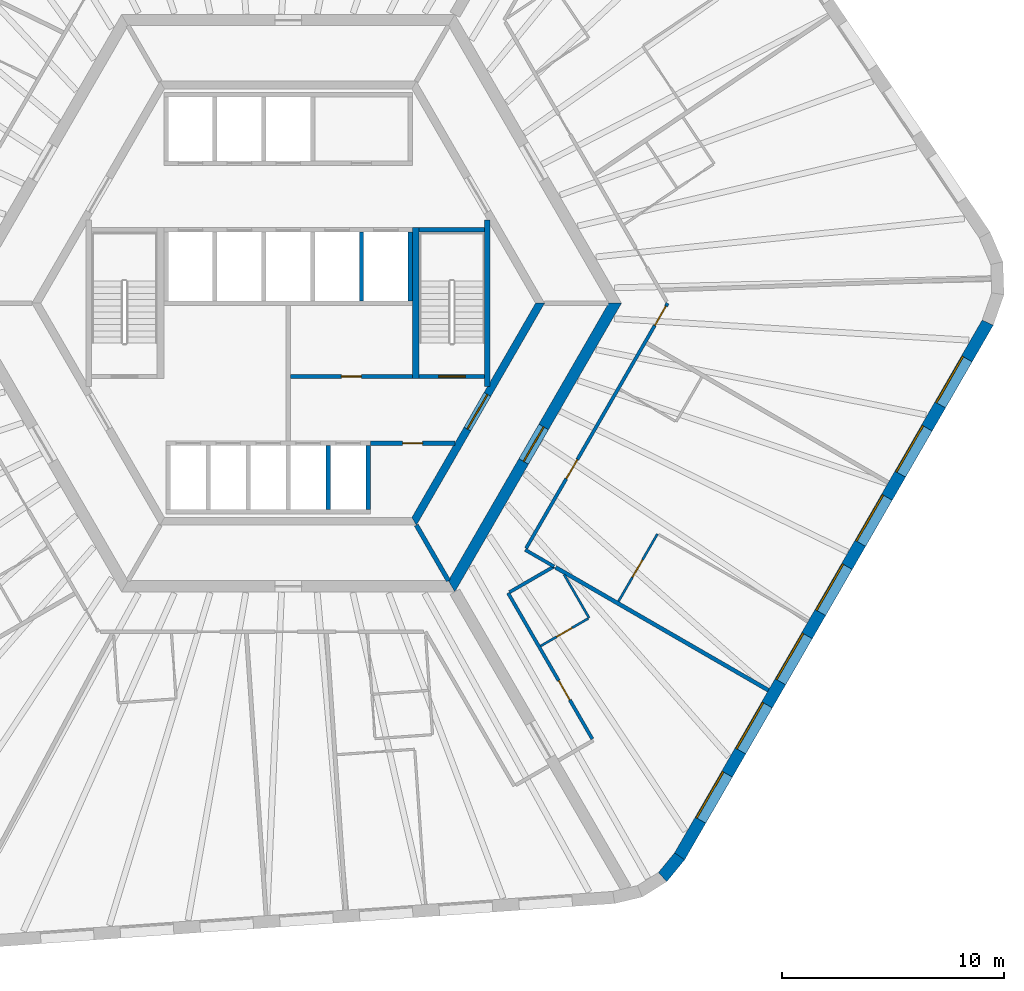
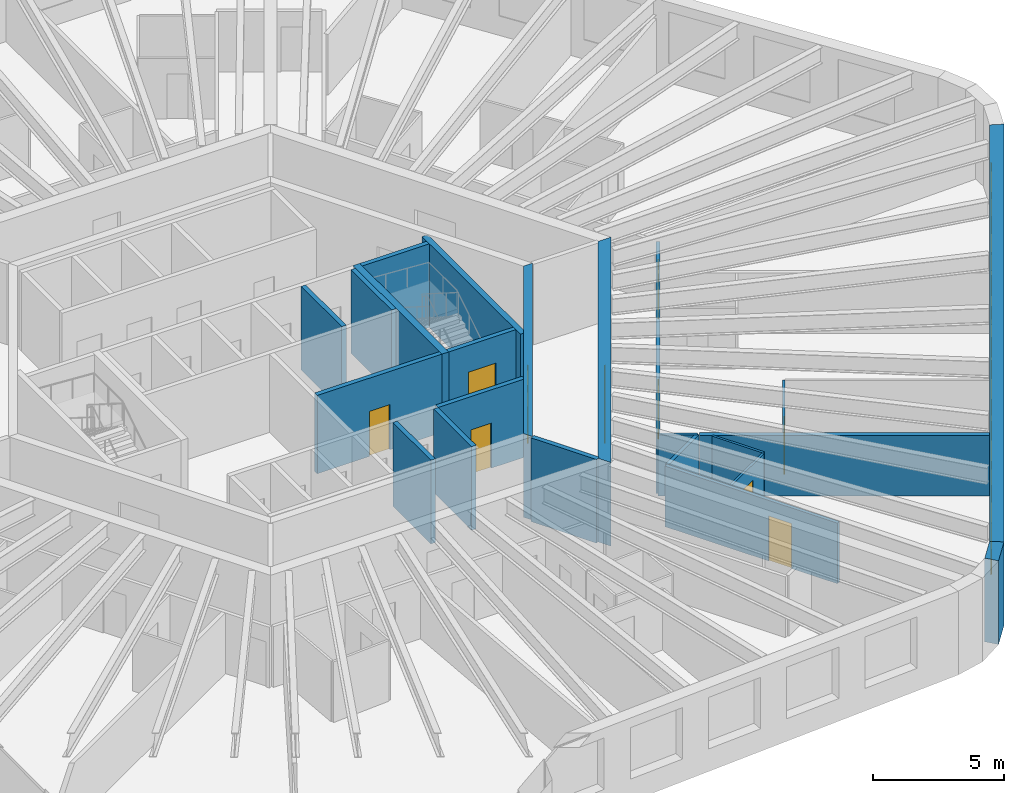
# One storey, part 5 of 10: 23 walls, 10 doors, 7 windows, 17 openings.
"""IFC4 building model written with IfcOpenShell, lengths in metres."""

from ifc_helpers import new_model, si_unit, direction, frame, frame_2d, origin, place, context, subcontext, project, spatial, polyline, rectangle, outline, extrude, material, layer, layer_set, type_object, element, fill, save


model = new_model("IFC4")

# Units and contexts
model_context = context("Model", 3, precision=1e-05, world=origin(), true_north=direction((0.0, 1.0)))
body_context = subcontext(model_context, "Body", "Model", "MODEL_VIEW")
ifc_project = project(units=[si_unit("LENGTHUNIT", "METRE"), si_unit("AREAUNIT", "SQUARE_METRE"), si_unit("VOLUMEUNIT", "CUBIC_METRE"), si_unit("PLANEANGLEUNIT", "RADIAN"), si_unit("MASSUNIT", "GRAM", prefix="KILO")], contexts=[model_context])

# Site, building, storey
site_placement = place(None, origin())
site = spatial("IfcSite", under=ifc_project, at=site_placement, CompositionType="ELEMENT")
building_placement = place(site_placement, origin())
building = spatial("IfcBuilding", under=site, at=building_placement, Name="Tarnside Tower", CompositionType="ELEMENT")
storey_placement = place(building_placement, frame((0.0, 0.0, 160.5)))
storey = spatial("IfcBuildingStorey", under=building, at=storey_placement, Name="L37", CompositionType="ELEMENT", Elevation=160.5)

# Wall
ifc_material_1 = material(Name="Gypsum board partition on steel studs", Category="steel")
ifc_layer_1 = layer(ifc_material_1, 0.10009765625)
ifc_layer_set_1 = layer_set([ifc_layer_1], Name="Bathroom wall 100")
wall_type_1 = type_object("IfcWallType", Name="Bathroom wall 100", PredefinedType="PARTITIONING", material=ifc_layer_set_1)
wall_1_placement = place(storey_placement, frame((12.42626953125, -12.22265625, 0.0), z_axis=(0.0, 0.0, 1.0), x_axis=(0.499919032186, -0.866072145528, 0.0)))
element("IfcWall", 1, at=wall_1_placement, inside=storey, type_object=wall_type_1, Name="Bathroom wall 11094", PredefinedType="PARTITIONING", context=body_context, shape_type="SweptSolid", body=[
    extrude(rectangle(XDim=2.257568359375, YDim=0.10009765625, at=frame_2d((1.12890625, 0.0))), origin(), (0.0, 0.0, 1.0), 2.823486328125),
])

# Wall, opening, door
wall_2_placement = place(storey_placement, frame((13.51171875, -14.202880859375, 0.0), z_axis=(0.0, 0.0, 1.0), x_axis=(-0.866006523861, -0.500032699561, 0.0)))
wall_2 = element("IfcWall", 2, at=wall_2_placement, inside=storey, type_object=wall_type_1, Name="Bathroom wall 11095", PredefinedType="PARTITIONING", context=body_context, shape_type="SweptSolid", body=[
    extrude(rectangle(XDim=2.474853515625, YDim=0.10009765625, at=frame_2d((1.2373046875, 0.0))), origin(), (0.0, 0.0, 1.0), 2.823486328125),
])
opening_1_placement = place(wall_2_placement, frame((0.85009765625, 0.0, 0.0)))
opening_1 = element("IfcOpeningElement", 3, at=opening_1_placement, cuts=wall_2, Name="Opening D-B1", PredefinedType="OPENING", context=body_context, shape_type="SweptSolid", body=[
    extrude(rectangle(XDim=0.800048828125, YDim=2.10009765625, at=frame_2d((0.39990234375, 1.050048828125))), frame((0.0, 0.06005859375, 0.0), z_axis=(0.0, -1.0, 0.0), x_axis=(1.0, 0.0, 0.0)), (0.0, 0.0, 1.0), 0.1201171875),
])
ifc_material_2 = material(Name="Timber door leaf", Category="wood")
door_type_1 = type_object("IfcDoorType", Name="Bathroom door 800", OperationType="NOTDEFINED", PredefinedType="DOOR", material=ifc_material_2)
door_1_placement = place(opening_1_placement, origin())
door_1 = element("IfcDoor", 4, at=door_1_placement, inside=storey, type_object=door_type_1, Name="Bathroom door 11026", OperationType="SINGLE_SWING_RIGHT", OverallHeight=2.10009765625, OverallWidth=0.800048828125, PredefinedType="DOOR", context=body_context, shape_type="SweptSolid", body=[
    extrude(rectangle(XDim=0.800048828125, YDim=2.10009765625, at=frame_2d((0.39990234375, 1.050048828125))), frame((0.0, 0.02490234375, 0.0), z_axis=(0.0, -1.0, 0.0), x_axis=(1.0, 0.0, 0.0)), (0.0, 0.0, 1.0), 0.050048828125),
])
fill(opening_1, door_1)

ifc_material_3 = material(Name="Concrete C50/60", Category="concrete")
ifc_layer_2 = layer(ifc_material_3, 0.35009765625)
ifc_layer_set_2 = layer_set([ifc_layer_2], Name="Core block wall 350 C50/60")
wall_type_2 = type_object("IfcWallType", Name="Core block wall 350 C50/60", PredefinedType="SHEAR", material=ifc_layer_set_2)
wall_3_placement = place(storey_placement, frame((5.672607421875, -9.824951171875, -0.14990234375), z_axis=(0.0, 0.0, 1.0), x_axis=(0.499995046907, 0.866028263435, 0.0)))
wall_3 = element("IfcWall", 5, at=wall_3_placement, inside=storey, type_object=wall_type_2, Name="L37 core block wall face 5", PredefinedType="SHEAR", context=body_context, shape_type="SweptSolid", body=[
    extrude(outline(polyline([(-0.10107421875, -0.175048828125), (11.44580078125, -0.175048828125), (11.24365234375, 0.175048828125), (0.10107421875, 0.175048828125), (-0.10107421875, -0.175048828125)])), origin(), (0.0, 0.0, 1.0), 3.89990234375),
])
opening_2_placement = place(wall_3_placement, frame((4.80126953125, 0.0, 0.14990234375)))
opening_2 = element("IfcOpeningElement", 6, at=opening_2_placement, cuts=wall_3, Name="Opening CD-FFL", PredefinedType="OPENING", context=body_context, shape_type="SweptSolid", body=[
    extrude(rectangle(XDim=1.800048828125, YDim=2.39990234375, at=frame_2d((0.89990234375, 1.199951171875))), frame((0.0, 0.18505859375, 0.0), z_axis=(0.0, -1.0, 0.0), x_axis=(1.0, 0.0, 0.0)), (0.0, 0.0, 1.0), 0.3701171875),
])
ifc_material_4 = material(Name="Steel fire door", Category="steel")
door_type_2 = type_object("IfcDoorType", Name="Firefighting lobby double door FD60S 1800x2400", OperationType="NOTDEFINED", PredefinedType="DOOR", material=ifc_material_4)
door_2_placement = place(opening_2_placement, origin())
door_2 = element("IfcDoor", 7, at=door_2_placement, inside=storey, type_object=door_type_2, Name="L37 lobby block door P4", OperationType="DOUBLE_DOOR_SINGLE_SWING", OverallHeight=2.39990234375, OverallWidth=1.800048828125, PredefinedType="DOOR", context=body_context, shape_type="SweptSolid", body=[
    extrude(rectangle(XDim=1.800048828125, YDim=2.39990234375, at=frame_2d((0.89990234375, 1.199951171875))), frame((0.0, 0.02490234375, 0.0), z_axis=(0.0, -1.0, 0.0), x_axis=(1.0, 0.0, 0.0)), (0.0, 0.0, 1.0), 0.050048828125),
])
fill(opening_2, door_2)

ifc_material_5 = material(Name="Concrete C40/50", Category="concrete")
ifc_layer_3 = layer(ifc_material_5, 0.199951171875)
ifc_layer_set_3 = layer_set([ifc_layer_3], Name="Core room partition 200 C40/50")
wall_type_3 = type_object("IfcWallType", Name="Core room partition 200 C40/50", PredefinedType="PARTITIONING", material=ifc_layer_set_3)
wall_4_placement = place(storey_placement, frame((0.10009765625, -3.300048828125, 0.0), z_axis=(0.0, 0.0, 1.0), x_axis=(1.0, 0.0, 0.0)))
wall_4 = element("IfcWall", 8, at=wall_4_placement, inside=storey, type_object=wall_type_3, Name="L37 core partition R3S1", PredefinedType="PARTITIONING", context=body_context, shape_type="SweptSolid", body=[
    extrude(rectangle(XDim=5.5, YDim=0.199951171875, at=frame_2d((2.75, 0.0))), origin(), (0.0, 0.0, 1.0), 3.64990234375),
])
opening_3_placement = place(wall_4_placement, frame((2.300048828125, 0.0, 0.0)))
opening_3 = element("IfcOpeningElement", 9, at=opening_3_placement, cuts=wall_4, Name="Opening CD-room", PredefinedType="OPENING", context=body_context, shape_type="SweptSolid", body=[
    extrude(rectangle(XDim=0.89990234375, YDim=2.10009765625, at=frame_2d((0.449951171875, 1.050048828125))), frame((0.0, 0.10986328125, 0.0), z_axis=(0.0, -1.0, 0.0), x_axis=(1.0, 0.0, 0.0)), (0.0, 0.0, 1.0), 0.219970703125),
])
door_type_3 = type_object("IfcDoorType", Name="Room door FD60 900x2100", OperationType="NOTDEFINED", PredefinedType="DOOR", material=ifc_material_4)
door_3_placement = place(opening_3_placement, origin())
door_3 = element("IfcDoor", 10, at=door_3_placement, inside=storey, type_object=door_type_3, Name="L37 core room door SR1", OperationType="SINGLE_SWING_LEFT", OverallHeight=2.10009765625, OverallWidth=0.89990234375, PredefinedType="DOOR", context=body_context, shape_type="SweptSolid", body=[
    extrude(rectangle(XDim=0.89990234375, YDim=2.10009765625, at=frame_2d((0.449951171875, 1.050048828125))), frame((0.0, 0.02490234375, 0.0), z_axis=(0.0, -1.0, 0.0), x_axis=(1.0, 0.0, 0.0)), (0.0, 0.0, 1.0), 0.050048828125),
])
fill(opening_3, door_3)

wall_5_placement = place(storey_placement, frame((3.699951171875, -6.300048828125, 0.0), z_axis=(0.0, 0.0, 1.0), x_axis=(1.0, 0.0, 0.0)))
wall_5 = element("IfcWall", 11, at=wall_5_placement, inside=storey, type_object=wall_type_3, Name="L37 core partition R4X", PredefinedType="PARTITIONING", context=body_context, shape_type="SweptSolid", body=[
    extrude(rectangle(XDim=3.8056640625, YDim=0.199951171875, at=frame_2d((1.90283203125, 0.0))), origin(), (0.0, 0.0, 1.0), 3.64990234375),
])
opening_4_placement = place(wall_5_placement, frame((1.452880859375, 0.0, 0.0)))
opening_4 = element("IfcOpeningElement", 12, at=opening_4_placement, cuts=wall_5, Name="Opening CD-room", PredefinedType="OPENING", context=body_context, shape_type="SweptSolid", body=[
    extrude(rectangle(XDim=0.89990234375, YDim=2.10009765625, at=frame_2d((0.449951171875, 1.050048828125))), frame((0.0, 0.10986328125, 0.0), z_axis=(0.0, -1.0, 0.0), x_axis=(1.0, 0.0, 0.0)), (0.0, 0.0, 1.0), 0.219970703125),
])
door_4_placement = place(opening_4_placement, origin())
door_4 = element("IfcDoor", 13, at=door_4_placement, inside=storey, type_object=door_type_3, Name="L37 core room door RX", OperationType="SINGLE_SWING_LEFT", OverallHeight=2.10009765625, OverallWidth=0.89990234375, PredefinedType="DOOR", context=body_context, shape_type="SweptSolid", body=[
    extrude(rectangle(XDim=0.89990234375, YDim=2.10009765625, at=frame_2d((0.449951171875, 1.050048828125))), frame((0.0, 0.02490234375, 0.0), z_axis=(0.0, -1.0, 0.0), x_axis=(1.0, 0.0, 0.0)), (0.0, 0.0, 1.0), 0.050048828125),
])
fill(opening_4, door_4)

ifc_material_6 = material(Name="Concrete C70/85", Category="concrete")
ifc_layer_4 = layer(ifc_material_6, 0.5)
ifc_layer_set_4 = layer_set([ifc_layer_4], Name="Core wall Z2 500 C70/85")
wall_type_4 = type_object("IfcWallType", Name="Core wall Z2 500 C70/85", PredefinedType="SHEAR", material=ifc_layer_set_4)
wall_6_placement = place(storey_placement, frame((7.361083984375, -12.75, -0.14990234375), z_axis=(0.0, 0.0, 1.0), x_axis=(0.50000571537, 0.866022103989, 0.0)))
wall_6 = element("IfcWall", 14, at=wall_6_placement, inside=storey, type_object=wall_type_4, Name="L37 core wall face 5", PredefinedType="SHEAR", context=body_context, shape_type="SweptSolid", body=[
    extrude(outline(polyline([(-0.144287109375, -0.25), (14.86669921875, -0.25), (14.578125, 0.25), (0.144287109375, 0.25), (-0.144287109375, -0.25)])), origin(), (0.0, 0.0, 1.0), 3.89990234375),
])
opening_5_placement = place(wall_6_placement, frame((6.489990234375, 0.0, 0.14990234375)))
opening_5 = element("IfcOpeningElement", 15, at=opening_5_placement, cuts=wall_6, Name="Opening CD-FFL", PredefinedType="OPENING", context=body_context, shape_type="SweptSolid", body=[
    extrude(rectangle(XDim=1.800048828125, YDim=2.39990234375, at=frame_2d((0.89990234375, 1.199951171875))), frame((0.0, 0.260009765625, 0.0), z_axis=(0.0, -1.0, 0.0), x_axis=(1.0, 0.0, 0.0)), (0.0, 0.0, 1.0), 0.52001953125),
])
door_5_placement = place(opening_5_placement, origin())
door_5 = element("IfcDoor", 16, at=door_5_placement, inside=storey, type_object=door_type_2, Name="L37 core door P4", OperationType="DOUBLE_DOOR_SINGLE_SWING", OverallHeight=2.39990234375, OverallWidth=1.800048828125, PredefinedType="DOOR", context=body_context, shape_type="SweptSolid", body=[
    extrude(rectangle(XDim=1.800048828125, YDim=2.39990234375, at=frame_2d((0.89990234375, 1.199951171875))), frame((0.0, 0.02490234375, 0.0), z_axis=(0.0, -1.0, 0.0), x_axis=(1.0, 0.0, 0.0)), (0.0, 0.0, 1.0), 0.050048828125),
])
fill(opening_5, door_5)

ifc_layer_5 = layer(ifc_material_1, 0.14990234375)
ifc_layer_set_5 = layer_set([ifc_layer_5], Name="Corridor wall 150 EI 60")
wall_type_5 = type_object("IfcWallType", Name="Corridor wall 150 EI 60", PredefinedType="PARTITIONING", material=ifc_layer_set_5)
wall_7_placement = place(storey_placement, frame((13.69921875, -19.6279296875, 0.0), z_axis=(0.0, 0.0, 1.0), x_axis=(-0.499998968938, 0.866025999068, 0.0)))
wall_7 = element("IfcWall", 17, at=wall_7_placement, inside=storey, type_object=wall_type_5, Name="Corridor wall 11033", PredefinedType="PARTITIONING", context=body_context, shape_type="SweptSolid", body=[
    extrude(rectangle(XDim=7.591796875, YDim=0.14990234375, at=frame_2d((3.7958984375, 0.0))), origin(), (0.0, 0.0, 1.0), 2.823486328125),
])
opening_6_placement = place(wall_7_placement, frame((2.033447265625, 0.0, 0.0)))
opening_6 = element("IfcOpeningElement", 18, at=opening_6_placement, cuts=wall_7, Name="Opening D-E1", PredefinedType="OPENING", context=body_context, shape_type="SweptSolid", body=[
    extrude(rectangle(XDim=1.0, YDim=2.10009765625, at=frame_2d((0.5, 1.050048828125))), frame((0.0, 0.0849609375, 0.0), z_axis=(0.0, -1.0, 0.0), x_axis=(1.0, 0.0, 0.0)), (0.0, 0.0, 1.0), 0.169921875),
])
door_type_4 = type_object("IfcDoorType", Name="Unit entrance door 1000 FD30S", OperationType="NOTDEFINED", PredefinedType="DOOR", material=ifc_material_2)
door_6_placement = place(opening_6_placement, origin())
door_6 = element("IfcDoor", 19, at=door_6_placement, inside=storey, type_object=door_type_4, Name="Unit door 11025", OperationType="SINGLE_SWING_LEFT", OverallHeight=2.10009765625, OverallWidth=1.0, PredefinedType="DOOR", context=body_context, shape_type="SweptSolid", body=[
    extrude(rectangle(XDim=1.0, YDim=2.10009765625, at=frame_2d((0.5, 1.050048828125))), frame((0.0, 0.02490234375, 0.0), z_axis=(0.0, -1.0, 0.0), x_axis=(1.0, 0.0, 0.0)), (0.0, 0.0, 1.0), 0.050048828125),
])
fill(opening_6, door_6)

# Walls
wall_8_placement = place(storey_placement, frame((9.96826171875, -13.015625, 0.0), z_axis=(0.0, 0.0, 1.0), x_axis=(0.866022320763, 0.500005339912, 0.0)))
element("IfcWall", 20, at=wall_8_placement, inside=storey, type_object=wall_type_5, Name="Corridor wall 11035", PredefinedType="PARTITIONING", context=body_context, shape_type="SweptSolid", body=[
    extrude(rectangle(XDim=2.31591796875, YDim=0.14990234375, at=frame_2d((1.157958984375, 0.0))), origin(), (0.0, 0.0, 1.0), 2.823486328125),
])
wall_9_placement = place(storey_placement, frame((11.9765625, -11.859375, 0.0), z_axis=(0.0, 0.0, 1.0), x_axis=(-0.865993364801, 0.500055489042, 0.0)))
element("IfcWall", 21, at=wall_9_placement, inside=storey, type_object=wall_type_5, Name="Corridor wall 11036", PredefinedType="PARTITIONING", context=body_context, shape_type="SweptSolid", body=[
    extrude(rectangle(XDim=1.501708984375, YDim=0.14990234375, at=frame_2d((0.7509765625, 0.0))), origin(), (0.0, 0.0, 1.0), 2.823486328125),
])

# Wall, openings, doors
wall_10_placement = place(storey_placement, frame((10.713623046875, -11.04345703125, 0.0), z_axis=(0.0, 0.0, 1.0), x_axis=(0.500001980452, 0.866024260367, 0.0)))
wall_10 = element("IfcWall", 22, at=wall_10_placement, inside=storey, type_object=wall_type_5, Name="Corridor wall 11037", PredefinedType="PARTITIONING", context=body_context, shape_type="SweptSolid", body=[
    extrude(rectangle(XDim=12.751953125, YDim=0.14990234375, at=frame_2d((6.3759765625, 0.0))), origin(), (0.0, 0.0, 1.0), 2.823486328125),
])
opening_7_placement = place(wall_10_placement, frame((3.625, 0.0, 0.0)))
opening_7 = element("IfcOpeningElement", 23, at=opening_7_placement, cuts=wall_10, Name="Opening D-E1", PredefinedType="OPENING", context=body_context, shape_type="SweptSolid", body=[
    extrude(rectangle(XDim=1.0, YDim=2.10009765625, at=frame_2d((0.5, 1.050048828125))), frame((0.0, 0.0849609375, 0.0), z_axis=(0.0, -1.0, 0.0), x_axis=(1.0, 0.0, 0.0)), (0.0, 0.0, 1.0), 0.169921875),
])
opening_8_placement = place(wall_10_placement, frame((11.601806640625, 0.0, 0.0)))
opening_8 = element("IfcOpeningElement", 24, at=opening_8_placement, cuts=wall_10, Name="Opening D-E1", PredefinedType="OPENING", context=body_context, shape_type="SweptSolid", body=[
    extrude(rectangle(XDim=1.0, YDim=2.10009765625, at=frame_2d((0.5, 1.050048828125))), frame((0.0, 0.0849609375, 0.0), z_axis=(0.0, -1.0, 0.0), x_axis=(1.0, 0.0, 0.0)), (0.0, 0.0, 1.0), 0.169921875),
])
door_7_placement = place(opening_7_placement, origin())
door_7 = element("IfcDoor", 25, at=door_7_placement, inside=storey, type_object=door_type_4, Name="Unit door 11027", OperationType="SINGLE_SWING_RIGHT", OverallHeight=2.10009765625, OverallWidth=1.0, PredefinedType="DOOR", context=body_context, shape_type="SweptSolid", body=[
    extrude(rectangle(XDim=1.0, YDim=2.10009765625, at=frame_2d((0.5, 1.050048828125))), frame((0.0, 0.02490234375, 0.0), z_axis=(0.0, -1.0, 0.0), x_axis=(1.0, 0.0, 0.0)), (0.0, 0.0, 1.0), 0.050048828125),
])
fill(opening_7, door_7)
door_8_placement = place(opening_8_placement, origin())
door_8 = element("IfcDoor", 26, at=door_8_placement, inside=storey, type_object=door_type_4, Name="Unit door 11030", OperationType="SINGLE_SWING_LEFT", OverallHeight=2.10009765625, OverallWidth=1.0, PredefinedType="DOOR", context=body_context, shape_type="SweptSolid", body=[
    extrude(rectangle(XDim=1.0, YDim=2.10009765625, at=frame_2d((0.5, 1.050048828125))), frame((0.0, 0.02490234375, 0.0), z_axis=(0.0, -1.0, 0.0), x_axis=(1.0, 0.0, 0.0)), (0.0, 0.0, 1.0), 0.050048828125),
])
fill(opening_8, door_8)

# Walls
ifc_layer_6 = layer(ifc_material_1, 0.179931640625)
ifc_layer_set_6 = layer_set([ifc_layer_6], Name="Demising wall 180 EI 60")
wall_type_6 = type_object("IfcWallType", Name="Demising wall 180 EI 60", PredefinedType="PARTITIONING", material=ifc_layer_set_6)
wall_11_placement = place(storey_placement, frame((21.63134765625, -17.433349609375, 0.0), z_axis=(0.0, 0.0, 1.0), x_axis=(-0.866031296205, 0.499989793889, 0.0)))
element("IfcWall", 27, at=wall_11_placement, inside=storey, type_object=wall_type_6, Name="Demising wall 11096", PredefinedType="PARTITIONING", context=body_context, shape_type="SweptSolid", body=[
    extrude(rectangle(XDim=11.067138671875, YDim=0.179931640625, at=frame_2d((5.53369140625, 0.0))), origin(), (0.0, 0.0, 1.0), 2.823486328125),
])
ifc_layer_7 = layer(ifc_material_5, 0.199951171875)
ifc_layer_set_7 = layer_set([ifc_layer_7], Name="Lift shaft wall 200 C40/50")
wall_type_7 = type_object("IfcWallType", Name="Lift shaft wall 200 C40/50", PredefinedType="SHEAR", material=ifc_layer_set_7)
for number, where, z_axis, x_axis, name in (
    (28, (3.300048828125, 0.10009765625, -0.25), (0.0, 0.0, 1.0), (0.0, 1.0, 0.0), "L37 lift shaft partition R25"),
    (29, (5.5, 0.10009765625, -0.25), (0.0, 0.0, 1.0), (0.0, 1.0, 0.0), "L37 lift shaft partition R26"),
):
    element("IfcWall", number, at=place(storey_placement, frame(where, z_axis=z_axis, x_axis=x_axis)), inside=storey, type_object=wall_type_7, Name=name, PredefinedType="SHEAR", context=body_context, shape_type="SweptSolid", body=[
        extrude(rectangle(XDim=3.099853515625, YDim=0.199951171875, at=frame_2d((1.5498046875, 0.0))), origin(), (0.0, 0.0, 1.0), 3.89990234375),
    ])
for number, where, z_axis, x_axis, name in (
    (30, (1.800048828125, -9.300048828125, -0.25), (0.0, 0.0, 1.0), (0.0, 1.0, 0.0), "L37 lift shaft partition R45"),
    (31, (3.60009765625, -9.300048828125, -0.25), (0.0, 0.0, 1.0), (0.0, 1.0, 0.0), "L37 lift shaft partition R46"),
):
    element("IfcWall", number, at=place(storey_placement, frame(where, z_axis=z_axis, x_axis=x_axis)), inside=storey, type_object=wall_type_7, Name=name, PredefinedType="SHEAR", context=body_context, shape_type="SweptSolid", body=[
        extrude(rectangle(XDim=2.900146484375, YDim=0.199951171875, at=frame_2d((1.4501953125, 0.0))), origin(), (0.0, 0.0, 1.0), 3.89990234375),
    ])
wall_12_placement = place(storey_placement, frame((5.7734375, -10.0, -0.14990234375), z_axis=(0.0, 0.0, 1.0), x_axis=(0.499995765644, -0.866027848477, 0.0)))
element("IfcWall", 32, at=wall_12_placement, inside=storey, type_object=wall_type_7, Name="L37 core partition AR300", PredefinedType="SHEAR", context=body_context, shape_type="SweptSolid", body=[
    extrude(rectangle(XDim=2.88671875, YDim=0.199951171875, at=frame_2d((1.443359375, 0.0))), origin(), (0.0, 0.0, 1.0), 3.89990234375),
])
wall_13_placement = place(storey_placement, frame((5.89990234375, 3.300048828125, -0.25), z_axis=(0.0, 0.0, 1.0), x_axis=(1.0, 0.0, 0.0)))
element("IfcWall", 33, at=wall_13_placement, inside=storey, type_object=wall_type_7, Name="L37 stair 1 enclosure cap wall n", PredefinedType="SHEAR", context=body_context, shape_type="SweptSolid", body=[
    extrude(rectangle(XDim=2.9501953125, YDim=0.199951171875, at=frame_2d((1.47509765625, 0.0))), origin(), (0.0, 0.0, 1.0), 3.89990234375),
])

# Wall, opening, door
wall_14_placement = place(storey_placement, frame((5.89990234375, -3.300048828125, -0.25), z_axis=(0.0, 0.0, 1.0), x_axis=(1.0, 0.0, 0.0)))
wall_14 = element("IfcWall", 34, at=wall_14_placement, inside=storey, type_object=wall_type_7, Name="L37 stair 1 enclosure cap wall s", PredefinedType="SHEAR", context=body_context, shape_type="SweptSolid", body=[
    extrude(rectangle(XDim=2.9501953125, YDim=0.199951171875, at=frame_2d((1.47509765625, 0.0))), origin(), (0.0, 0.0, 1.0), 3.89990234375),
])
opening_9_placement = place(wall_14_placement, frame((0.875, 0.0, 0.25)))
opening_9 = element("IfcOpeningElement", 35, at=opening_9_placement, cuts=wall_14, Name="Opening CD-STR", PredefinedType="OPENING", context=body_context, shape_type="SweptSolid", body=[
    extrude(rectangle(XDim=1.199951171875, YDim=2.39990234375, at=frame_2d((0.60009765625, 1.199951171875))), frame((0.0, 0.10986328125, 0.0), z_axis=(0.0, -1.0, 0.0), x_axis=(1.0, 0.0, 0.0)), (0.0, 0.0, 1.0), 0.219970703125),
])
door_type_5 = type_object("IfcDoorType", Name="Stair door FD60S 1200x2400", OperationType="NOTDEFINED", PredefinedType="DOOR", material=ifc_material_4)
door_9_placement = place(opening_9_placement, origin())
door_9 = element("IfcDoor", 36, at=door_9_placement, inside=storey, type_object=door_type_5, Name="L37 stair 1 door", OperationType="SINGLE_SWING_LEFT", OverallHeight=2.39990234375, OverallWidth=1.199951171875, PredefinedType="DOOR", context=body_context, shape_type="SweptSolid", body=[
    extrude(rectangle(XDim=1.199951171875, YDim=2.39990234375, at=frame_2d((0.60009765625, 1.199951171875))), frame((0.0, 0.02490234375, 0.0), z_axis=(0.0, -1.0, 0.0), x_axis=(1.0, 0.0, 0.0)), (0.0, 0.0, 1.0), 0.050048828125),
])
fill(opening_9, door_9)

ifc_layer_8 = layer(ifc_material_1, 0.10009765625)
ifc_layer_set_8 = layer_set([ifc_layer_8], Name="Partition 100")
wall_type_8 = type_object("IfcWallType", Name="Partition 100", PredefinedType="PARTITIONING", material=ifc_layer_set_8)
wall_15_placement = place(storey_placement, frame((14.8779296875, -13.430419921875, 0.0), z_axis=(0.0, 0.0, 1.0), x_axis=(0.500021481416, 0.866013001128, 0.0)))
wall_15 = element("IfcWall", 37, at=wall_15_placement, inside=storey, type_object=wall_type_8, Name="Partition wall 11101", PredefinedType="PARTITIONING", context=body_context, shape_type="SweptSolid", body=[
    extrude(rectangle(XDim=3.510009765625, YDim=0.10009765625, at=frame_2d((1.7548828125, 0.0))), origin(), (0.0, 0.0, 1.0), 2.823486328125),
])
opening_10_placement = place(wall_15_placement, frame((1.260009765625, 0.0, 0.0)))
opening_10 = element("IfcOpeningElement", 38, at=opening_10_placement, cuts=wall_15, Name="Opening D-I1", PredefinedType="OPENING", context=body_context, shape_type="SweptSolid", body=[
    extrude(rectangle(XDim=0.89990234375, YDim=2.10009765625, at=frame_2d((0.449951171875, 1.050048828125))), frame((0.0, 0.06005859375, 0.0), z_axis=(0.0, -1.0, 0.0), x_axis=(1.0, 0.0, 0.0)), (0.0, 0.0, 1.0), 0.1201171875),
])
door_type_6 = type_object("IfcDoorType", Name="Internal door 900", OperationType="NOTDEFINED", PredefinedType="DOOR", material=ifc_material_2)
door_10_placement = place(opening_10_placement, origin())
door_10 = element("IfcDoor", 39, at=door_10_placement, inside=storey, type_object=door_type_6, Name="Internal door 11029", OperationType="SINGLE_SWING_RIGHT", OverallHeight=2.10009765625, OverallWidth=0.89990234375, PredefinedType="DOOR", context=body_context, shape_type="SweptSolid", body=[
    extrude(rectangle(XDim=0.89990234375, YDim=2.10009765625, at=frame_2d((0.449951171875, 1.050048828125))), frame((0.0, 0.02490234375, 0.0), z_axis=(0.0, -1.0, 0.0), x_axis=(1.0, 0.0, 0.0)), (0.0, 0.0, 1.0), 0.050048828125),
])
fill(opening_10, door_10)

# Walls
ifc_layer_9 = layer(ifc_material_5, 0.25)
ifc_layer_set_9 = layer_set([ifc_layer_9], Name="Stair enclosure wall 250 C40/50")
wall_type_9 = type_object("IfcWallType", Name="Stair enclosure wall 250 C40/50", PredefinedType="SHEAR", material=ifc_layer_set_9)
wall_16_placement = place(storey_placement, frame((8.97509765625, -3.7548828125, -0.25), z_axis=(0.0, 0.0, 1.0), x_axis=(0.0, 1.0, 0.0)))
element("IfcWall", 40, at=wall_16_placement, inside=storey, type_object=wall_type_9, Name="L37 stair 1 enclosure wall outer", PredefinedType="SHEAR", context=body_context, shape_type="SweptSolid", body=[
    extrude(rectangle(XDim=7.509765625, YDim=0.25, at=frame_2d((3.7548828125, 0.0))), origin(), (0.0, 0.0, 1.0), 3.89990234375),
])
ifc_layer_10 = layer(ifc_material_5, 0.300048828125)
ifc_layer_set_10 = layer_set([ifc_layer_10], Name="Stair enclosure wall 300 C40/50")
wall_type_10 = type_object("IfcWallType", Name="Stair enclosure wall 300 C40/50", PredefinedType="SHEAR", material=ifc_layer_set_10)
wall_17_placement = place(storey_placement, frame((5.75, -3.39990234375, -0.25), z_axis=(0.0, 0.0, 1.0), x_axis=(0.0, 1.0, 0.0)))
element("IfcWall", 41, at=wall_17_placement, inside=storey, type_object=wall_type_10, Name="L37 stair 1 enclosure wall inner", PredefinedType="SHEAR", context=body_context, shape_type="SweptSolid", body=[
    extrude(rectangle(XDim=6.7998046875, YDim=0.300048828125, at=frame_2d((3.39990234375, 0.0))), origin(), (0.0, 0.0, 1.0), 3.89990234375),
])
ifc_material_7 = material(Name="Facing brick", Category="masonry")
ifc_layer_11 = layer(ifc_material_7, 0.10205078125)
ifc_material_8 = material(Name="Concrete C60/75 precast", Category="concrete")
ifc_layer_12 = layer(ifc_material_8, 0.347900390625)
ifc_material_9 = material(Name="Mineral wool insulation")
ifc_layer_13 = layer(ifc_material_9, 0.10009765625)
ifc_layer_set_11 = layer_set([ifc_layer_11, ifc_layer_12, ifc_layer_13], Name="Tube wall 550 brick faced")
wall_type_11 = type_object("IfcWallType", Name="Tube wall 550 brick faced", PredefinedType="SOLIDWALL", material=ifc_layer_set_11)
wall_18_placement = place(storey_placement, frame((16.8642578125, -25.848388671875, -0.14990234375), z_axis=(0.0, 0.0, 1.0), x_axis=(0.633842757806, 0.773461930787, 0.0)))
element("IfcWall", 42, at=wall_18_placement, inside=storey, type_object=wall_type_11, Name="Tube wall L37 F4 chord 15", PredefinedType="SOLIDWALL", context=body_context, shape_type="SweptSolid", body=[
    extrude(outline(polyline([(-0.045166015625, -0.27490234375), (1.230712890625, -0.27490234375), (1.185791015625, 0.27490234375), (0.045166015625, 0.27490234375), (-0.045166015625, -0.27490234375)])), origin(), (0.0, 0.0, 1.0), 3.89990234375),
])

# Wall, openings, windows
wall_19_placement = place(storey_placement, frame((17.630126953125, -24.913818359375, -0.14990234375), z_axis=(0.0, 0.0, 1.0), x_axis=(0.499998569178, 0.866026229868, 0.0)))
wall_19 = element("IfcWall", 43, at=wall_19_placement, inside=storey, type_object=wall_type_11, Name="Tube wall L37 F5 flush 16", PredefinedType="SOLIDWALL", context=body_context, shape_type="SweptSolid", body=[
    extrude(outline(polyline([(-0.0224609375, -0.27490234375), (27.783447265625, -0.27490234375), (27.732177734375, 0.27490234375), (0.0224609375, 0.27490234375), (-0.0224609375, -0.27490234375)])), origin(), (0.0, 0.0, 1.0), 3.89990234375),
])
opening_11_placement = place(wall_19_placement, frame((1.87890625, 0.0, 1.050048828125)))
opening_11 = element("IfcOpeningElement", 44, at=opening_11_placement, cuts=wall_19, Name="Opening WH", PredefinedType="OPENING", context=body_context, shape_type="SweptSolid", body=[
    extrude(rectangle(XDim=2.39990234375, YDim=2.39990234375, at=frame_2d((1.199951171875, 1.199951171875))), frame((0.0, 0.28515625, 0.0), z_axis=(0.0, -1.0, 0.0), x_axis=(1.0, 0.0, 0.0)), (0.0, 0.0, 1.0), 0.570068359375),
])
opening_12_placement = place(wall_19_placement, frame((5.47900390625, 0.0, 1.050048828125)))
opening_12 = element("IfcOpeningElement", 45, at=opening_12_placement, cuts=wall_19, Name="Opening WH", PredefinedType="OPENING", context=body_context, shape_type="SweptSolid", body=[
    extrude(rectangle(XDim=2.39990234375, YDim=2.39990234375, at=frame_2d((1.199951171875, 1.199951171875))), frame((0.0, 0.28515625, 0.0), z_axis=(0.0, -1.0, 0.0), x_axis=(1.0, 0.0, 0.0)), (0.0, 0.0, 1.0), 0.570068359375),
])
opening_13_placement = place(wall_19_placement, frame((9.078857421875, 0.0, 1.050048828125)))
opening_13 = element("IfcOpeningElement", 46, at=opening_13_placement, cuts=wall_19, Name="Opening WH", PredefinedType="OPENING", context=body_context, shape_type="SweptSolid", body=[
    extrude(rectangle(XDim=2.39990234375, YDim=2.39990234375, at=frame_2d((1.199951171875, 1.199951171875))), frame((0.0, 0.28515625, 0.0), z_axis=(0.0, -1.0, 0.0), x_axis=(1.0, 0.0, 0.0)), (0.0, 0.0, 1.0), 0.570068359375),
])
opening_14_placement = place(wall_19_placement, frame((12.678955078125, 0.0, 1.050048828125)))
opening_14 = element("IfcOpeningElement", 47, at=opening_14_placement, cuts=wall_19, Name="Opening WH", PredefinedType="OPENING", context=body_context, shape_type="SweptSolid", body=[
    extrude(rectangle(XDim=2.39990234375, YDim=2.39990234375, at=frame_2d((1.199951171875, 1.199951171875))), frame((0.0, 0.28515625, 0.0), z_axis=(0.0, -1.0, 0.0), x_axis=(1.0, 0.0, 0.0)), (0.0, 0.0, 1.0), 0.570068359375),
])
opening_15_placement = place(wall_19_placement, frame((16.27880859375, 0.0, 1.050048828125)))
opening_15 = element("IfcOpeningElement", 48, at=opening_15_placement, cuts=wall_19, Name="Opening WH", PredefinedType="OPENING", context=body_context, shape_type="SweptSolid", body=[
    extrude(rectangle(XDim=2.39990234375, YDim=2.39990234375, at=frame_2d((1.199951171875, 1.199951171875))), frame((0.0, 0.28515625, 0.0), z_axis=(0.0, -1.0, 0.0), x_axis=(1.0, 0.0, 0.0)), (0.0, 0.0, 1.0), 0.570068359375),
])
opening_16_placement = place(wall_19_placement, frame((19.87890625, 0.0, 1.050048828125)))
opening_16 = element("IfcOpeningElement", 49, at=opening_16_placement, cuts=wall_19, Name="Opening WH", PredefinedType="OPENING", context=body_context, shape_type="SweptSolid", body=[
    extrude(rectangle(XDim=2.39990234375, YDim=2.39990234375, at=frame_2d((1.199951171875, 1.199951171875))), frame((0.0, 0.28515625, 0.0), z_axis=(0.0, -1.0, 0.0), x_axis=(1.0, 0.0, 0.0)), (0.0, 0.0, 1.0), 0.570068359375),
])
opening_17_placement = place(wall_19_placement, frame((23.47900390625, 0.0, 1.050048828125)))
opening_17 = element("IfcOpeningElement", 50, at=opening_17_placement, cuts=wall_19, Name="Opening WH", PredefinedType="OPENING", context=body_context, shape_type="SweptSolid", body=[
    extrude(rectangle(XDim=2.39990234375, YDim=2.39990234375, at=frame_2d((1.199951171875, 1.199951171875))), frame((0.0, 0.28515625, 0.0), z_axis=(0.0, -1.0, 0.0), x_axis=(1.0, 0.0, 0.0)), (0.0, 0.0, 1.0), 0.570068359375),
])
ifc_material_10 = material(Name="Aluminium-framed double glazing", Category="aluminium")
window_type = type_object("IfcWindowType", Name="Hotel window 2400 x 2400", PartitioningType="DOUBLE_PANEL_VERTICAL", PredefinedType="WINDOW", material=ifc_material_10)
window_1_placement = place(opening_11_placement, frame((0.0, 0.205078125, 0.0)))
window_1 = element("IfcWindow", 51, at=window_1_placement, inside=storey, type_object=window_type, Name="E.WN.L37.F5.00", OverallHeight=2.39990234375, OverallWidth=2.39990234375, PartitioningType="DOUBLE_PANEL_VERTICAL", PredefinedType="WINDOW", context=body_context, shape_type="SweptSolid", body=[
    extrude(rectangle(XDim=2.39990234375, YDim=2.39990234375, at=frame_2d((1.199951171875, 1.199951171875))), frame((0.0, 0.030029296875, 0.0), z_axis=(0.0, -1.0, 0.0), x_axis=(1.0, 0.0, 0.0)), (0.0, 0.0, 1.0), 0.06005859375),
])
fill(opening_11, window_1)
window_2_placement = place(opening_12_placement, frame((0.0, 0.205078125, 0.0)))
window_2 = element("IfcWindow", 52, at=window_2_placement, inside=storey, type_object=window_type, Name="E.WN.L37.F5.01", OverallHeight=2.39990234375, OverallWidth=2.39990234375, PartitioningType="DOUBLE_PANEL_VERTICAL", PredefinedType="WINDOW", context=body_context, shape_type="SweptSolid", body=[
    extrude(rectangle(XDim=2.39990234375, YDim=2.39990234375, at=frame_2d((1.199951171875, 1.199951171875))), frame((0.0, 0.030029296875, 0.0), z_axis=(0.0, -1.0, 0.0), x_axis=(1.0, 0.0, 0.0)), (0.0, 0.0, 1.0), 0.06005859375),
])
fill(opening_12, window_2)
window_3_placement = place(opening_13_placement, frame((0.0, 0.205078125, 0.0)))
window_3 = element("IfcWindow", 53, at=window_3_placement, inside=storey, type_object=window_type, Name="E.WN.L37.F5.02", OverallHeight=2.39990234375, OverallWidth=2.39990234375, PartitioningType="DOUBLE_PANEL_VERTICAL", PredefinedType="WINDOW", context=body_context, shape_type="SweptSolid", body=[
    extrude(rectangle(XDim=2.39990234375, YDim=2.39990234375, at=frame_2d((1.199951171875, 1.199951171875))), frame((0.0, 0.030029296875, 0.0), z_axis=(0.0, -1.0, 0.0), x_axis=(1.0, 0.0, 0.0)), (0.0, 0.0, 1.0), 0.06005859375),
])
fill(opening_13, window_3)
window_4_placement = place(opening_14_placement, frame((0.0, 0.205078125, 0.0)))
window_4 = element("IfcWindow", 54, at=window_4_placement, inside=storey, type_object=window_type, Name="E.WN.L37.F5.03", OverallHeight=2.39990234375, OverallWidth=2.39990234375, PartitioningType="DOUBLE_PANEL_VERTICAL", PredefinedType="WINDOW", context=body_context, shape_type="SweptSolid", body=[
    extrude(rectangle(XDim=2.39990234375, YDim=2.39990234375, at=frame_2d((1.199951171875, 1.199951171875))), frame((0.0, 0.030029296875, 0.0), z_axis=(0.0, -1.0, 0.0), x_axis=(1.0, 0.0, 0.0)), (0.0, 0.0, 1.0), 0.06005859375),
])
fill(opening_14, window_4)
window_5_placement = place(opening_15_placement, frame((0.0, 0.205078125, 0.0)))
window_5 = element("IfcWindow", 55, at=window_5_placement, inside=storey, type_object=window_type, Name="E.WN.L37.F5.04", OverallHeight=2.39990234375, OverallWidth=2.39990234375, PartitioningType="DOUBLE_PANEL_VERTICAL", PredefinedType="WINDOW", context=body_context, shape_type="SweptSolid", body=[
    extrude(rectangle(XDim=2.39990234375, YDim=2.39990234375, at=frame_2d((1.199951171875, 1.199951171875))), frame((0.0, 0.030029296875, 0.0), z_axis=(0.0, -1.0, 0.0), x_axis=(1.0, 0.0, 0.0)), (0.0, 0.0, 1.0), 0.06005859375),
])
fill(opening_15, window_5)
window_6_placement = place(opening_16_placement, frame((0.0, 0.205078125, 0.0)))
window_6 = element("IfcWindow", 56, at=window_6_placement, inside=storey, type_object=window_type, Name="E.WN.L37.F5.05", OverallHeight=2.39990234375, OverallWidth=2.39990234375, PartitioningType="DOUBLE_PANEL_VERTICAL", PredefinedType="WINDOW", context=body_context, shape_type="SweptSolid", body=[
    extrude(rectangle(XDim=2.39990234375, YDim=2.39990234375, at=frame_2d((1.199951171875, 1.199951171875))), frame((0.0, 0.030029296875, 0.0), z_axis=(0.0, -1.0, 0.0), x_axis=(1.0, 0.0, 0.0)), (0.0, 0.0, 1.0), 0.06005859375),
])
fill(opening_16, window_6)
window_7_placement = place(opening_17_placement, frame((0.0, 0.205078125, 0.0)))
window_7 = element("IfcWindow", 57, at=window_7_placement, inside=storey, type_object=window_type, Name="E.WN.L37.F5.06", OverallHeight=2.39990234375, OverallWidth=2.39990234375, PartitioningType="DOUBLE_PANEL_VERTICAL", PredefinedType="WINDOW", context=body_context, shape_type="SweptSolid", body=[
    extrude(rectangle(XDim=2.39990234375, YDim=2.39990234375, at=frame_2d((1.199951171875, 1.199951171875))), frame((0.0, 0.030029296875, 0.0), z_axis=(0.0, -1.0, 0.0), x_axis=(1.0, 0.0, 0.0)), (0.0, 0.0, 1.0), 0.06005859375),
])
fill(opening_17, window_7)

save(model, "model.ifc")
